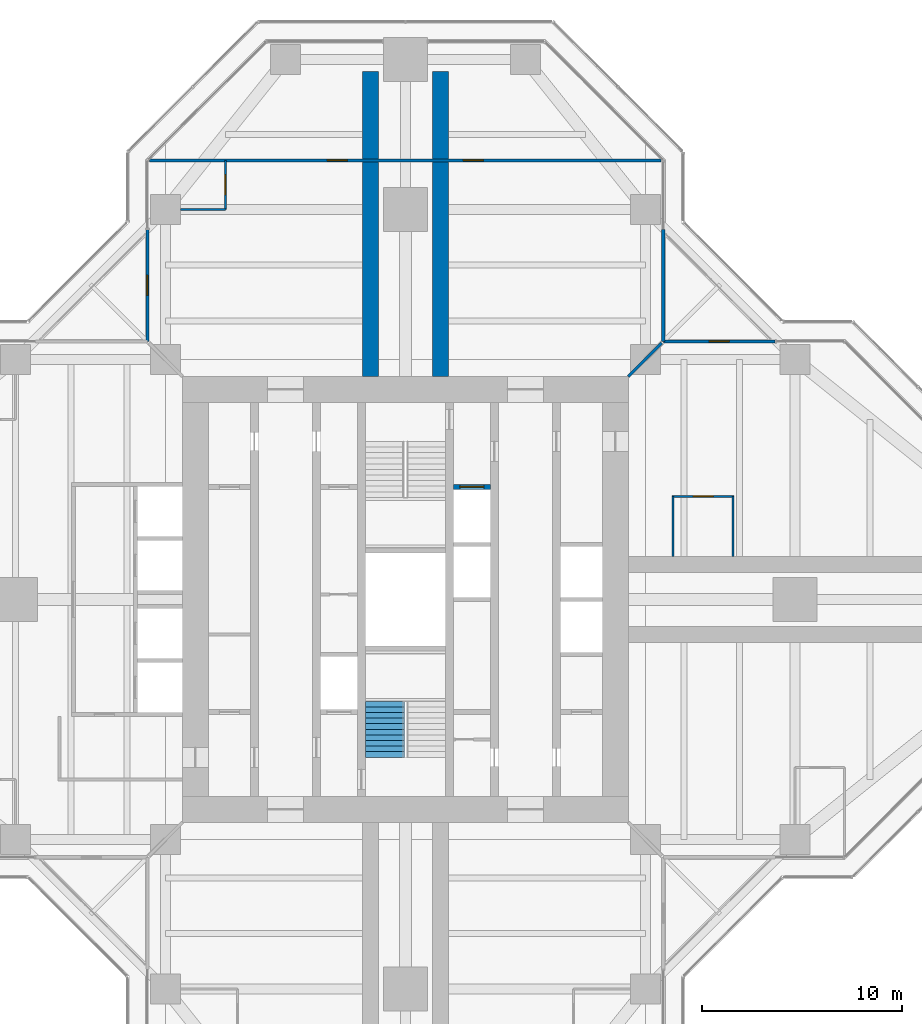
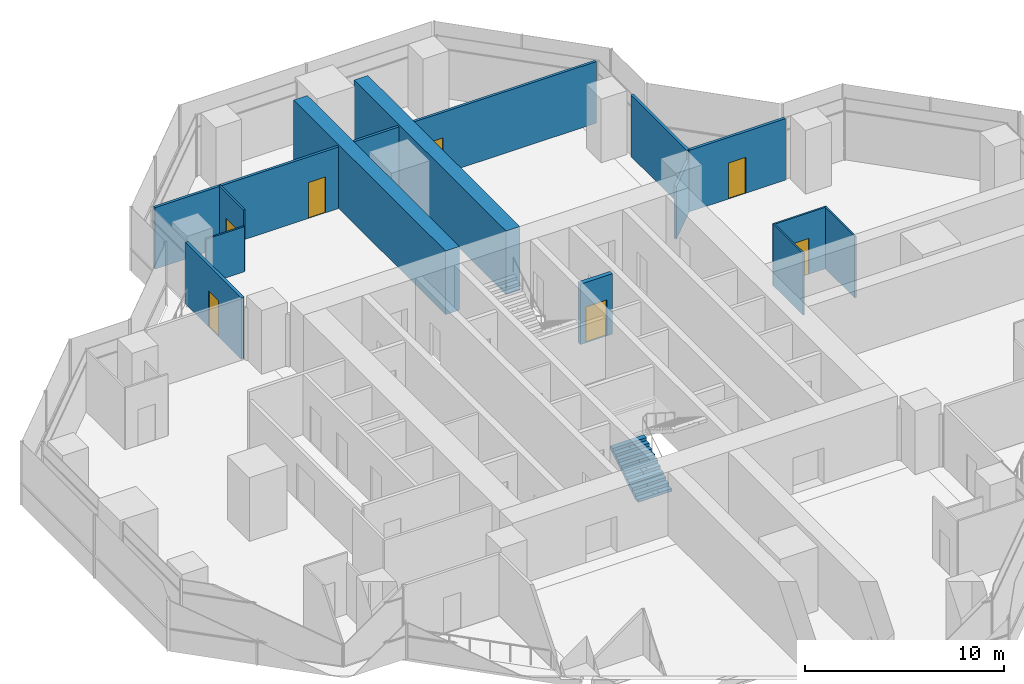
# One storey, part 15 of 17: 13 walls, 7 doors, 1 stair flight, 7 openings, 1 element without a shape of its own.
"""IFC4 building model written with IfcOpenShell, lengths in metres."""

from ifc_helpers import new_model, si_unit, direction, frame, frame_2d, origin, place, context, subcontext, project, spatial, polyline, rectangle, outline, extrude, material, layer, layer_set, type_object, element, fill, aggregate, save


model = new_model("IFC4")

# Units and contexts
model_context = context("Model", 3, precision=1e-05, world=origin(), true_north=direction((0.0, 1.0)))
body_context = subcontext(model_context, "Body", "Model", "MODEL_VIEW")
ifc_project = project(units=[si_unit("LENGTHUNIT", "METRE"), si_unit("AREAUNIT", "SQUARE_METRE"), si_unit("VOLUMEUNIT", "CUBIC_METRE"), si_unit("PLANEANGLEUNIT", "RADIAN"), si_unit("MASSUNIT", "GRAM", prefix="KILO")], contexts=[model_context])

# Site, building, storey
site_placement = place(None, origin())
site = spatial("IfcSite", under=ifc_project, at=site_placement, CompositionType="ELEMENT")
building_placement = place(site_placement, origin())
building = spatial("IfcBuilding", under=site, at=building_placement, Name="Mizan Broadcast Tower", CompositionType="ELEMENT")
storey_placement = place(building_placement, frame((0.0, 0.0, 259.5)))
storey = spatial("IfcBuildingStorey", under=building, at=storey_placement, Name="L61", CompositionType="ELEMENT", Elevation=259.5)

# Wall, opening, door
ifc_material_1 = material(Name="Aluminium framed glazed screen", Category="aluminium")
ifc_layer_1 = layer(ifc_material_1, 0.159912109375)
ifc_layer_set_1 = layer_set([ifc_layer_1], Name="Aluminium framed glazed screen")
wall_type_1 = type_object("IfcWallType", Name="GLAZED SCREEN WALL 160", PredefinedType="SOLIDWALL", material=ifc_layer_set_1)
wall_1_placement = place(storey_placement, frame((18.5, 12.89990234375, 0.0), z_axis=(0.0, 0.0, 1.0), x_axis=(-1.0, 0.0, 0.0)))
wall_1 = element("IfcWall", 1, at=wall_1_placement, inside=storey, type_object=wall_type_1, Name="Winter garden screen L61 E", PredefinedType="SOLIDWALL", context=body_context, shape_type="SweptSolid", body=[
    extrude(rectangle(XDim=5.60009765625, YDim=0.159912109375, at=frame_2d((2.800048828125, 0.0))), origin(), (0.0, 0.0, 1.0), 3.77001953125),
])
opening_1_placement = place(wall_1_placement, frame((2.300048828125, 0.0, 0.0)))
opening_1 = element("IfcOpeningElement", 2, at=opening_1_placement, cuts=wall_1, Name="Opening WGD", PredefinedType="OPENING", context=body_context, shape_type="SweptSolid", body=[
    extrude(rectangle(XDim=1.0, YDim=2.199951171875, at=frame_2d((0.5, 1.10009765625))), frame((0.0, 0.08984375, 0.0), z_axis=(0.0, -1.0, 0.0), x_axis=(1.0, 0.0, 0.0)), (0.0, 0.0, 1.0), 0.179931640625),
])
ifc_material_2 = material(Name="Aluminium framed glazed door", Category="aluminium")
door_type_1 = type_object("IfcDoorType", Name="WINTER GARDEN DOOR 1000 GLAZED", OperationType="SINGLE_SWING_LEFT", PredefinedType="DOOR", material=ifc_material_2)
door_1_placement = place(opening_1_placement, origin())
door_1 = element("IfcDoor", 3, at=door_1_placement, inside=storey, type_object=door_type_1, Name="Winter garden door L61 E", OperationType="SINGLE_SWING_RIGHT", OverallHeight=2.199951171875, OverallWidth=1.0, PredefinedType="DOOR", context=body_context, shape_type="SweptSolid", body=[
    extrude(rectangle(XDim=1.0, YDim=2.199951171875, at=frame_2d((0.5, 1.10009765625))), frame((0.0, 0.02490234375, 0.0), z_axis=(0.0, -1.0, 0.0), x_axis=(1.0, 0.0, 0.0)), (0.0, 0.0, 1.0), 0.050048828125),
])
fill(opening_1, door_1)

# Wall
wall_2_placement = place(storey_placement, frame((12.89990234375, 12.89990234375, 0.0), z_axis=(0.0, 0.0, 1.0), x_axis=(0.0, 1.0, 0.0)))
element("IfcWall", 4, at=wall_2_placement, inside=storey, type_object=wall_type_1, Name="Winter garden screen L61 N", PredefinedType="SOLIDWALL", context=body_context, shape_type="SweptSolid", body=[
    extrude(rectangle(XDim=5.60009765625, YDim=0.159912109375, at=frame_2d((2.800048828125, 0.0))), origin(), (0.0, 0.0, 1.0), 3.77001953125),
])

# Wall, opening, door
wall_3_placement = place(storey_placement, frame((-12.89990234375, 18.5, 0.0), z_axis=(0.0, 0.0, 1.0), x_axis=(0.0, -1.0, 0.0)))
wall_3 = element("IfcWall", 5, at=wall_3_placement, inside=storey, type_object=wall_type_1, Name="Winter garden screen L61 N", PredefinedType="SOLIDWALL", context=body_context, shape_type="SweptSolid", body=[
    extrude(rectangle(XDim=5.60009765625, YDim=0.159912109375, at=frame_2d((2.800048828125, 0.0))), origin(), (0.0, 0.0, 1.0), 3.77001953125),
])
opening_2_placement = place(wall_3_placement, frame((2.300048828125, 0.0, 0.0)))
opening_2 = element("IfcOpeningElement", 6, at=opening_2_placement, cuts=wall_3, Name="Opening WGD", PredefinedType="OPENING", context=body_context, shape_type="SweptSolid", body=[
    extrude(rectangle(XDim=1.0, YDim=2.199951171875, at=frame_2d((0.5, 1.10009765625))), frame((0.0, 0.08984375, 0.0), z_axis=(0.0, -1.0, 0.0), x_axis=(1.0, 0.0, 0.0)), (0.0, 0.0, 1.0), 0.179931640625),
])
door_2_placement = place(opening_2_placement, origin())
door_2 = element("IfcDoor", 7, at=door_2_placement, inside=storey, type_object=door_type_1, Name="Winter garden door L61 N", OperationType="SINGLE_SWING_RIGHT", OverallHeight=2.199951171875, OverallWidth=1.0, PredefinedType="DOOR", context=body_context, shape_type="SweptSolid", body=[
    extrude(rectangle(XDim=1.0, YDim=2.199951171875, at=frame_2d((0.5, 1.10009765625))), frame((0.0, 0.02490234375, 0.0), z_axis=(0.0, -1.0, 0.0), x_axis=(1.0, 0.0, 0.0)), (0.0, 0.0, 1.0), 0.050048828125),
])
fill(opening_2, door_2)

ifc_material_3 = material(Name="Concrete blockwork", Category="masonry")
ifc_layer_2 = layer(ifc_material_3, 0.25)
ifc_layer_set_2 = layer_set([ifc_layer_2], Name="Concrete blockwork")
wall_type_2 = type_object("IfcWallType", Name="LOBBY ENCLOSURE WALL 250", PredefinedType="SOLIDWALL", material=ifc_layer_set_2)
wall_4_placement = place(storey_placement, frame((2.39990234375, 5.625, 0.0), z_axis=(0.0, 0.0, 1.0), x_axis=(1.0, 0.0, 0.0)))
wall_4 = element("IfcWall", 8, at=wall_4_placement, inside=storey, type_object=wall_type_2, Name="Lobby enclosure wall CORE/BE2N", PredefinedType="SOLIDWALL", context=body_context, shape_type="SweptSolid", body=[
    extrude(rectangle(XDim=1.85009765625, YDim=0.25, at=frame_2d((0.925048828125, 0.0))), origin(), (0.0, 0.0, 1.0), 3.699951171875),
])
opening_3_placement = place(wall_4_placement, frame((0.324951171875, 0.0, 0.0)))
opening_3 = element("IfcOpeningElement", 9, at=opening_3_placement, cuts=wall_4, Name="Opening LDF", PredefinedType="OPENING", context=body_context, shape_type="SweptSolid", body=[
    extrude(rectangle(XDim=1.199951171875, YDim=2.199951171875, at=frame_2d((0.60009765625, 1.10009765625))), frame((0.0, 0.135009765625, 0.0), z_axis=(0.0, -1.0, 0.0), x_axis=(1.0, 0.0, 0.0)), (0.0, 0.0, 1.0), 0.27001953125),
])
ifc_material_4 = material(Name="Steel door leaf in steel frame", Category="steel")
door_type_2 = type_object("IfcDoorType", Name="FIREFIGHTING LIFT LANDING DOOR 1200", OperationType="SLIDING_TO_LEFT", PredefinedType="DOOR", material=ifc_material_4)
door_3_placement = place(opening_3_placement, origin())
door_3 = element("IfcDoor", 10, at=door_3_placement, inside=storey, type_object=door_type_2, Name="Landing door FF2", OperationType="SLIDING_TO_LEFT", OverallHeight=2.199951171875, OverallWidth=1.199951171875, PredefinedType="DOOR", context=body_context, shape_type="SweptSolid", body=[
    extrude(rectangle(XDim=1.199951171875, YDim=2.199951171875, at=frame_2d((0.60009765625, 1.10009765625))), frame((0.0, 0.02490234375, 0.0), z_axis=(0.0, -1.0, 0.0), x_axis=(1.0, 0.0, 0.0)), (0.0, 0.0, 1.0), 0.050048828125),
])
fill(opening_3, door_3)

# Wall, openings, doors
ifc_material_5 = material(Name="Gypsum board on steel studs", Category="steel")
ifc_layer_3 = layer(ifc_material_5, 0.14990234375)
ifc_layer_set_3 = layer_set([ifc_layer_3], Name="Gypsum board on steel studs")
wall_type_3 = type_object("IfcWallType", Name="PARTITION 150", PredefinedType="PARTITIONING", material=ifc_layer_set_3)
wall_5_placement = place(storey_placement, frame((12.786376953125, 21.958984375, 0.0), z_axis=(0.0, 0.0, 1.0), x_axis=(-1.0, 0.0, 0.0)))
wall_5 = element("IfcWall", 11, at=wall_5_placement, inside=storey, type_object=wall_type_3, Name="Partition PT/NX1", PredefinedType="PARTITIONING", context=body_context, shape_type="SweptSolid", body=[
    extrude(rectangle(XDim=25.57275390625, YDim=0.14990234375, at=frame_2d((12.786376953125, 0.0))), origin(), (0.0, 0.0, 1.0), 3.77001953125),
])
opening_4_placement = place(wall_5_placement, frame((15.6865234375, 0.0, 0.0)))
opening_4 = element("IfcOpeningElement", 12, at=opening_4_placement, cuts=wall_5, Name="Opening D10", PredefinedType="OPENING", context=body_context, shape_type="SweptSolid", body=[
    extrude(rectangle(XDim=1.0, YDim=2.199951171875, at=frame_2d((0.5, 1.10009765625))), frame((0.0, 0.0849609375, 0.0), z_axis=(0.0, -1.0, 0.0), x_axis=(1.0, 0.0, 0.0)), (0.0, 0.0, 1.0), 0.169921875),
])
opening_5_placement = place(wall_5_placement, frame((8.886474609375, 0.0, 0.0)))
opening_5 = element("IfcOpeningElement", 13, at=opening_5_placement, cuts=wall_5, Name="Opening D10", PredefinedType="OPENING", context=body_context, shape_type="SweptSolid", body=[
    extrude(rectangle(XDim=1.0, YDim=2.199951171875, at=frame_2d((0.5, 1.10009765625))), frame((0.0, 0.0849609375, 0.0), z_axis=(0.0, -1.0, 0.0), x_axis=(1.0, 0.0, 0.0)), (0.0, 0.0, 1.0), 0.169921875),
])
ifc_material_6 = material(Name="Timber door leaf in aluminium frame", Category="wood")
door_type_3 = type_object("IfcDoorType", Name="ROOM DOOR 1000", OperationType="SINGLE_SWING_LEFT", PredefinedType="DOOR", material=ifc_material_6)
door_4_placement = place(opening_4_placement, origin())
door_4 = element("IfcDoor", 14, at=door_4_placement, inside=storey, type_object=door_type_3, Name="Open office door", OperationType="SINGLE_SWING_RIGHT", OverallHeight=2.199951171875, OverallWidth=1.0, PredefinedType="DOOR", context=body_context, shape_type="SweptSolid", body=[
    extrude(rectangle(XDim=1.0, YDim=2.199951171875, at=frame_2d((0.5, 1.10009765625))), frame((0.0, 0.02490234375, 0.0), z_axis=(0.0, -1.0, 0.0), x_axis=(1.0, 0.0, 0.0)), (0.0, 0.0, 1.0), 0.050048828125),
])
fill(opening_4, door_4)
door_5_placement = place(opening_5_placement, origin())
door_5 = element("IfcDoor", 15, at=door_5_placement, inside=storey, type_object=door_type_3, Name="Open office door", OperationType="SINGLE_SWING_LEFT", OverallHeight=2.199951171875, OverallWidth=1.0, PredefinedType="DOOR", context=body_context, shape_type="SweptSolid", body=[
    extrude(rectangle(XDim=1.0, YDim=2.199951171875, at=frame_2d((0.5, 1.10009765625))), frame((0.0, 0.02490234375, 0.0), z_axis=(0.0, -1.0, 0.0), x_axis=(1.0, 0.0, 0.0)), (0.0, 0.0, 1.0), 0.050048828125),
])
fill(opening_5, door_5)

# Walls
wall_6_placement = place(storey_placement, frame((11.14990234375, 11.14990234375, 0.0), z_axis=(0.0, 0.0, 1.0), x_axis=(0.707106781187, 0.707106781187, 0.0)))
element("IfcWall", 16, at=wall_6_placement, inside=storey, type_object=wall_type_3, Name="Partition PT/DGEN", PredefinedType="PARTITIONING", context=body_context, shape_type="SweptSolid", body=[
    extrude(rectangle(XDim=2.362060546875, YDim=0.14990234375, at=frame_2d((1.18115234375, 0.0))), origin(), (0.0, 0.0, 1.0), 3.219970703125),
])
ifc_material_7 = material(Name="Glazed aluminium partition on aluminium track", Category="aluminium")
ifc_layer_4 = layer(ifc_material_7, 0.10009765625)
ifc_layer_set_4 = layer_set([ifc_layer_4], Name="Glazed aluminium partition on aluminium track")
wall_type_4 = type_object("IfcWallType", Name="PARTITION GLAZED OFFICE FRONT 100", PredefinedType="PARTITIONING", material=ifc_layer_set_4)
for number, where, z_axis, x_axis, name in (
    (17, (13.39990234375, 2.14990234375, 0.0), (0.0, 0.0, 1.0), (0.0, 1.0, 0.0), "Glazed office front PT/EKP0a"),
    (18, (16.39990234375, 2.14990234375, 0.0), (0.0, 0.0, 1.0), (0.0, 1.0, 0.0), "Glazed office front PT/EKP0b"),
):
    element("IfcWall", number, at=place(storey_placement, frame(where, z_axis=z_axis, x_axis=x_axis)), inside=storey, type_object=wall_type_4, Name=name, PredefinedType="PARTITIONING", context=body_context, shape_type="SweptSolid", body=[
        extrude(rectangle(XDim=3.0, YDim=0.10009765625, at=frame_2d((1.5, 0.0))), origin(), (0.0, 0.0, 1.0), 3.77001953125),
    ])

# Wall, opening, door
wall_7_placement = place(storey_placement, frame((13.35009765625, 5.14990234375, 0.0), z_axis=(0.0, 0.0, 1.0), x_axis=(1.0, 0.0, 0.0)))
wall_7 = element("IfcWall", 19, at=wall_7_placement, inside=storey, type_object=wall_type_4, Name="Glazed office front PT/EKP0f", PredefinedType="PARTITIONING", context=body_context, shape_type="SweptSolid", body=[
    extrude(rectangle(XDim=3.099853515625, YDim=0.10009765625, at=frame_2d((1.5498046875, 0.0))), origin(), (0.0, 0.0, 1.0), 3.77001953125),
])
opening_6_placement = place(wall_7_placement, frame((1.050048828125, 0.0, 0.0)))
opening_6 = element("IfcOpeningElement", 20, at=opening_6_placement, cuts=wall_7, Name="Opening D10O", PredefinedType="OPENING", context=body_context, shape_type="SweptSolid", body=[
    extrude(rectangle(XDim=1.0, YDim=2.199951171875, at=frame_2d((0.5, 1.10009765625))), frame((0.0, 0.06005859375, 0.0), z_axis=(0.0, -1.0, 0.0), x_axis=(1.0, 0.0, 0.0)), (0.0, 0.0, 1.0), 0.1201171875),
])
ifc_material_8 = material(Name="Timber door leaf in aluminium frame", Category="wood")
door_type_4 = type_object("IfcDoorType", Name="OFFICE DOOR 1000 GLAZED", OperationType="SINGLE_SWING_LEFT", PredefinedType="DOOR", material=ifc_material_8)
door_6_placement = place(opening_6_placement, origin())
door_6 = element("IfcDoor", 21, at=door_6_placement, inside=storey, type_object=door_type_4, Name="Pantry door", OperationType="SINGLE_SWING_LEFT", OverallHeight=2.199951171875, OverallWidth=1.0, PredefinedType="DOOR", context=body_context, shape_type="SweptSolid", body=[
    extrude(rectangle(XDim=1.0, YDim=2.199951171875, at=frame_2d((0.5, 1.10009765625))), frame((0.0, 0.02490234375, 0.0), z_axis=(0.0, -1.0, 0.0), x_axis=(1.0, 0.0, 0.0)), (0.0, 0.0, 1.0), 0.050048828125),
])
fill(opening_6, door_6)

wall_8_placement = place(storey_placement, frame((-9.0, 19.5, 0.0), z_axis=(0.0, 0.0, 1.0), x_axis=(0.0, 1.0, 0.0)))
wall_8 = element("IfcWall", 22, at=wall_8_placement, inside=storey, type_object=wall_type_4, Name="Glazed office front PT/NCP0", PredefinedType="PARTITIONING", context=body_context, shape_type="SweptSolid", body=[
    extrude(rectangle(XDim=2.458984375, YDim=0.10009765625, at=frame_2d((1.2294921875, 0.0))), origin(), (0.0, 0.0, 1.0), 3.77001953125),
])
opening_7_placement = place(wall_8_placement, frame((0.7294921875, 0.0, 0.0)))
opening_7 = element("IfcOpeningElement", 23, at=opening_7_placement, cuts=wall_8, Name="Opening D10O", PredefinedType="OPENING", context=body_context, shape_type="SweptSolid", body=[
    extrude(rectangle(XDim=1.0, YDim=2.199951171875, at=frame_2d((0.5, 1.10009765625))), frame((0.0, 0.06005859375, 0.0), z_axis=(0.0, -1.0, 0.0), x_axis=(1.0, 0.0, 0.0)), (0.0, 0.0, 1.0), 0.1201171875),
])
door_7_placement = place(opening_7_placement, origin())
door_7 = element("IfcDoor", 24, at=door_7_placement, inside=storey, type_object=door_type_4, Name="Office door", OperationType="SINGLE_SWING_LEFT", OverallHeight=2.199951171875, OverallWidth=1.0, PredefinedType="DOOR", context=body_context, shape_type="SweptSolid", body=[
    extrude(rectangle(XDim=1.0, YDim=2.199951171875, at=frame_2d((0.5, 1.10009765625))), frame((0.0, 0.02490234375, 0.0), z_axis=(0.0, -1.0, 0.0), x_axis=(1.0, 0.0, 0.0)), (0.0, 0.0, 1.0), 0.050048828125),
])
fill(opening_7, door_7)

# Walls
wall_9_placement = place(storey_placement, frame((-9.0, 19.5, 0.0), z_axis=(0.0, 0.0, 1.0), x_axis=(-1.0, 0.0, 0.0)))
element("IfcWall", 25, at=wall_9_placement, inside=storey, type_object=wall_type_4, Name="Glazed office front PT/NQP1950", PredefinedType="PARTITIONING", context=body_context, shape_type="SweptSolid", body=[
    extrude(rectangle(XDim=2.25, YDim=0.10009765625, at=frame_2d((1.125, 0.0))), origin(), (0.0, 0.0, 1.0), 2.77001953125),
])
ifc_material_9 = material(Name="Concrete C70/85", Category="concrete")
ifc_layer_5 = layer(ifc_material_9, 0.800048828125)
ifc_layer_set_5 = layer_set([ifc_layer_5], Name="Concrete C70/85")
wall_type_5 = type_object("IfcWallType", Name="SPINE WALL 800", PredefinedType="SHEAR", material=ifc_layer_set_5)
for number, where, z_axis, x_axis, name in (
    (26, (1.75, 11.14990234375, 0.0), (0.0, 0.0, 1.0), (0.0, 1.0, 0.0), "Spine wall NR L61"),
    (27, (-1.75, 11.14990234375, 0.0), (0.0, 0.0, 1.0), (0.0, 1.0, 0.0), "Spine wall NL L61"),
):
    element("IfcWall", number, at=place(storey_placement, frame(where, z_axis=z_axis, x_axis=x_axis)), inside=storey, type_object=wall_type_5, Name=name, PredefinedType="SHEAR", context=body_context, shape_type="SweptSolid", body=[
        extrude(rectangle(XDim=15.25, YDim=0.800048828125, at=frame_2d((7.625, 0.0))), origin(), (0.0, 0.0, 1.0), 3.89990234375),
    ])

# Stair, stair flight
ifc_material_10 = material(Name="Concrete C40/50", Category="concrete")
stair_type = type_object("IfcStairType", Name="EXIT STAIR", PredefinedType="HALF_TURN_STAIR", material=ifc_material_10)
stair_placement = place(storey_placement, origin())
stair = element("IfcStair", 28, at=stair_placement, inside=storey, type_object=stair_type, Name="Stair A L61", PredefinedType="HALF_TURN_STAIR")
ifc_material_11 = material(Name="Concrete C40/50", Category="concrete")
stair_flight_type = type_object("IfcStairFlightType", Name="EXIT STAIR FLIGHT", PredefinedType="STRAIGHT", material=ifc_material_11)
stair_flight_placement = place(storey_placement, frame((-1.02490234375, -7.89990234375, 0.0), z_axis=(0.0, 0.0, 1.0), x_axis=(0.0, 1.0, 0.0)))
stair_flight = element("IfcStairFlight", 29, at=stair_flight_placement, type_object=stair_flight_type, Name="A flight 1", NumberOfRisers=11, NumberOfTreads=10, PredefinedType="STRAIGHT", RiserHeight=0.177272727, TreadLength=0.28, context=body_context, shape_type="SweptSolid", body=[
    extrude(outline(polyline([(0.0, 0.0), (0.0, 0.17724609375), (0.280029296875, 0.17724609375), (0.280029296875, 0.3544921875), (0.56005859375, 0.3544921875), (0.56005859375, 0.53173828125), (0.840087890625, 0.53173828125), (0.840087890625, 0.708984375), (1.1201171875, 0.708984375), (1.1201171875, 0.886474609375), (1.39990234375, 0.886474609375), (1.39990234375, 1.063720703125), (1.679931640625, 1.063720703125), (1.679931640625, 1.240966796875), (1.9599609375, 1.240966796875), (1.9599609375, 1.418212890625), (2.239990234375, 1.418212890625), (2.239990234375, 1.595458984375), (2.52001953125, 1.595458984375), (2.52001953125, 1.772705078125), (2.800048828125, 1.772705078125), (2.800048828125, 1.949951171875), (2.800048828125, 1.59521484375), (0.2802734375, 0.0), (0.0, 0.0)])), frame((0.0, 0.97509765625, 0.0), z_axis=(0.0, -1.0, 0.0), x_axis=(1.0, 0.0, 0.0)), (0.0, 0.0, 1.0), 0.4873046875),
    extrude(outline(polyline([(0.0, 0.0), (0.0, 0.17724609375), (0.280029296875, 0.17724609375), (0.280029296875, 0.3544921875), (0.56005859375, 0.3544921875), (0.56005859375, 0.53173828125), (0.840087890625, 0.53173828125), (0.840087890625, 0.708984375), (1.1201171875, 0.708984375), (1.1201171875, 0.886474609375), (1.39990234375, 0.886474609375), (1.39990234375, 1.063720703125), (1.679931640625, 1.063720703125), (1.679931640625, 1.240966796875), (1.9599609375, 1.240966796875), (1.9599609375, 1.418212890625), (2.239990234375, 1.418212890625), (2.239990234375, 1.595458984375), (2.52001953125, 1.595458984375), (2.52001953125, 1.772705078125), (2.800048828125, 1.772705078125), (2.800048828125, 1.949951171875), (2.800048828125, 1.59521484375), (0.2802734375, 0.0), (0.0, 0.0)])), frame((0.0, 0.4873046875, 0.0), z_axis=(0.0, -1.0, 0.0), x_axis=(1.0, 0.0, 0.0)), (0.0, 0.0, 1.0), 0.2431640625),
    extrude(outline(polyline([(0.0, 0.0), (0.0, 0.17724609375), (0.280029296875, 0.17724609375), (0.280029296875, 0.3544921875), (0.56005859375, 0.3544921875), (0.56005859375, 0.53173828125), (0.840087890625, 0.53173828125), (0.840087890625, 0.708984375), (1.1201171875, 0.708984375), (1.1201171875, 0.886474609375), (1.39990234375, 0.886474609375), (1.39990234375, 1.063720703125), (1.679931640625, 1.063720703125), (1.679931640625, 1.240966796875), (1.9599609375, 1.240966796875), (1.9599609375, 1.418212890625), (2.239990234375, 1.418212890625), (2.239990234375, 1.595458984375), (2.52001953125, 1.595458984375), (2.52001953125, 1.772705078125), (2.800048828125, 1.772705078125), (2.800048828125, 1.949951171875), (2.800048828125, 1.59521484375), (0.2802734375, 0.0), (0.0, 0.0)])), frame((0.0, 0.24365234375, 0.0), z_axis=(0.0, -1.0, 0.0), x_axis=(1.0, 0.0, 0.0)), (0.0, 0.0, 1.0), 0.121337890625),
    extrude(outline(polyline([(0.0, 0.0), (0.0, 0.17724609375), (0.280029296875, 0.17724609375), (0.280029296875, 0.3544921875), (0.56005859375, 0.3544921875), (0.56005859375, 0.53173828125), (0.840087890625, 0.53173828125), (0.840087890625, 0.708984375), (1.1201171875, 0.708984375), (1.1201171875, 0.886474609375), (1.39990234375, 0.886474609375), (1.39990234375, 1.063720703125), (1.679931640625, 1.063720703125), (1.679931640625, 1.240966796875), (1.9599609375, 1.240966796875), (1.9599609375, 1.418212890625), (2.239990234375, 1.418212890625), (2.239990234375, 1.595458984375), (2.52001953125, 1.595458984375), (2.52001953125, 1.772705078125), (2.800048828125, 1.772705078125), (2.800048828125, 1.949951171875), (2.800048828125, 1.59521484375), (0.2802734375, 0.0), (0.0, 0.0)])), frame((0.0, 0.121826171875, 0.0), z_axis=(0.0, -1.0, 0.0), x_axis=(1.0, 0.0, 0.0)), (0.0, 0.0, 1.0), 0.060546875),
    extrude(outline(polyline([(0.0, 0.0), (0.0, 0.17724609375), (0.280029296875, 0.17724609375), (0.280029296875, 0.3544921875), (0.56005859375, 0.3544921875), (0.56005859375, 0.53173828125), (0.840087890625, 0.53173828125), (0.840087890625, 0.708984375), (1.1201171875, 0.708984375), (1.1201171875, 0.886474609375), (1.39990234375, 0.886474609375), (1.39990234375, 1.063720703125), (1.679931640625, 1.063720703125), (1.679931640625, 1.240966796875), (1.9599609375, 1.240966796875), (1.9599609375, 1.418212890625), (2.239990234375, 1.418212890625), (2.239990234375, 1.595458984375), (2.52001953125, 1.595458984375), (2.52001953125, 1.772705078125), (2.800048828125, 1.772705078125), (2.800048828125, 1.949951171875), (2.800048828125, 1.59521484375), (0.2802734375, 0.0), (0.0, 0.0)])), frame((0.0, 0.060791015625, 0.0), z_axis=(0.0, -1.0, 0.0), x_axis=(1.0, 0.0, 0.0)), (0.0, 0.0, 1.0), 0.030029296875),
    extrude(outline(polyline([(0.0, 0.0), (0.0, 0.17724609375), (0.280029296875, 0.17724609375), (0.280029296875, 0.3544921875), (0.56005859375, 0.3544921875), (0.56005859375, 0.53173828125), (0.840087890625, 0.53173828125), (0.840087890625, 0.708984375), (1.1201171875, 0.708984375), (1.1201171875, 0.886474609375), (1.39990234375, 0.886474609375), (1.39990234375, 1.063720703125), (1.679931640625, 1.063720703125), (1.679931640625, 1.240966796875), (1.9599609375, 1.240966796875), (1.9599609375, 1.418212890625), (2.239990234375, 1.418212890625), (2.239990234375, 1.595458984375), (2.52001953125, 1.595458984375), (2.52001953125, 1.772705078125), (2.800048828125, 1.772705078125), (2.800048828125, 1.949951171875), (2.800048828125, 1.59521484375), (0.2802734375, 0.0), (0.0, 0.0)])), frame((0.0, 0.0302734375, 0.0), z_axis=(0.0, -1.0, 0.0), x_axis=(1.0, 0.0, 0.0)), (0.0, 0.0, 1.0), 0.060302734375),
    extrude(outline(polyline([(0.0, 0.0), (0.0, 0.17724609375), (0.280029296875, 0.17724609375), (0.280029296875, 0.3544921875), (0.56005859375, 0.3544921875), (0.56005859375, 0.53173828125), (0.840087890625, 0.53173828125), (0.840087890625, 0.708984375), (1.1201171875, 0.708984375), (1.1201171875, 0.886474609375), (1.39990234375, 0.886474609375), (1.39990234375, 1.063720703125), (1.679931640625, 1.063720703125), (1.679931640625, 1.240966796875), (1.9599609375, 1.240966796875), (1.9599609375, 1.418212890625), (2.239990234375, 1.418212890625), (2.239990234375, 1.595458984375), (2.52001953125, 1.595458984375), (2.52001953125, 1.772705078125), (2.800048828125, 1.772705078125), (2.800048828125, 1.949951171875), (2.800048828125, 1.59521484375), (0.2802734375, 0.0), (0.0, 0.0)])), frame((0.0, -0.030517578125, 0.0), z_axis=(0.0, -1.0, 0.0), x_axis=(1.0, 0.0, 0.0)), (0.0, 0.0, 1.0), 0.030029296875),
    extrude(outline(polyline([(0.0, 0.0), (0.0, 0.17724609375), (0.280029296875, 0.17724609375), (0.280029296875, 0.3544921875), (0.56005859375, 0.3544921875), (0.56005859375, 0.53173828125), (0.840087890625, 0.53173828125), (0.840087890625, 0.708984375), (1.1201171875, 0.708984375), (1.1201171875, 0.886474609375), (1.39990234375, 0.886474609375), (1.39990234375, 1.063720703125), (1.679931640625, 1.063720703125), (1.679931640625, 1.240966796875), (1.9599609375, 1.240966796875), (1.9599609375, 1.418212890625), (2.239990234375, 1.418212890625), (2.239990234375, 1.595458984375), (2.52001953125, 1.595458984375), (2.52001953125, 1.772705078125), (2.800048828125, 1.772705078125), (2.800048828125, 1.949951171875), (2.800048828125, 1.59521484375), (0.2802734375, 0.0), (0.0, 0.0)])), frame((0.0, -0.06103515625, 0.0), z_axis=(0.0, -1.0, 0.0), x_axis=(1.0, 0.0, 0.0)), (0.0, 0.0, 1.0), 0.060546875),
    extrude(outline(polyline([(0.0, 0.0), (0.0, 0.17724609375), (0.280029296875, 0.17724609375), (0.280029296875, 0.3544921875), (0.56005859375, 0.3544921875), (0.56005859375, 0.53173828125), (0.840087890625, 0.53173828125), (0.840087890625, 0.708984375), (1.1201171875, 0.708984375), (1.1201171875, 0.886474609375), (1.39990234375, 0.886474609375), (1.39990234375, 1.063720703125), (1.679931640625, 1.063720703125), (1.679931640625, 1.240966796875), (1.9599609375, 1.240966796875), (1.9599609375, 1.418212890625), (2.239990234375, 1.418212890625), (2.239990234375, 1.595458984375), (2.52001953125, 1.595458984375), (2.52001953125, 1.772705078125), (2.800048828125, 1.772705078125), (2.800048828125, 1.949951171875), (2.800048828125, 1.59521484375), (0.2802734375, 0.0), (0.0, 0.0)])), frame((0.0, -0.1220703125, 0.0), z_axis=(0.0, -1.0, 0.0), x_axis=(1.0, 0.0, 0.0)), (0.0, 0.0, 1.0), 0.121337890625),
    extrude(outline(polyline([(0.0, 0.0), (0.0, 0.17724609375), (0.280029296875, 0.17724609375), (0.280029296875, 0.3544921875), (0.56005859375, 0.3544921875), (0.56005859375, 0.53173828125), (0.840087890625, 0.53173828125), (0.840087890625, 0.708984375), (1.1201171875, 0.708984375), (1.1201171875, 0.886474609375), (1.39990234375, 0.886474609375), (1.39990234375, 1.063720703125), (1.679931640625, 1.063720703125), (1.679931640625, 1.240966796875), (1.9599609375, 1.240966796875), (1.9599609375, 1.418212890625), (2.239990234375, 1.418212890625), (2.239990234375, 1.595458984375), (2.52001953125, 1.595458984375), (2.52001953125, 1.772705078125), (2.800048828125, 1.772705078125), (2.800048828125, 1.949951171875), (2.800048828125, 1.59521484375), (0.2802734375, 0.0), (0.0, 0.0)])), frame((0.0, -0.243896484375, 0.0), z_axis=(0.0, -1.0, 0.0), x_axis=(1.0, 0.0, 0.0)), (0.0, 0.0, 1.0), 0.2431640625),
    extrude(outline(polyline([(0.0, 0.0), (0.0, 0.17724609375), (0.280029296875, 0.17724609375), (0.280029296875, 0.3544921875), (0.56005859375, 0.3544921875), (0.56005859375, 0.53173828125), (0.840087890625, 0.53173828125), (0.840087890625, 0.708984375), (1.1201171875, 0.708984375), (1.1201171875, 0.886474609375), (1.39990234375, 0.886474609375), (1.39990234375, 1.063720703125), (1.679931640625, 1.063720703125), (1.679931640625, 1.240966796875), (1.9599609375, 1.240966796875), (1.9599609375, 1.418212890625), (2.239990234375, 1.418212890625), (2.239990234375, 1.595458984375), (2.52001953125, 1.595458984375), (2.52001953125, 1.772705078125), (2.800048828125, 1.772705078125), (2.800048828125, 1.949951171875), (2.800048828125, 1.59521484375), (0.2802734375, 0.0), (0.0, 0.0)])), frame((0.0, -0.487548828125, 0.0), z_axis=(0.0, -1.0, 0.0), x_axis=(1.0, 0.0, 0.0)), (0.0, 0.0, 1.0), 0.4873046875),
])
aggregate(stair, [stair_flight])

save(model, "model.ifc")
